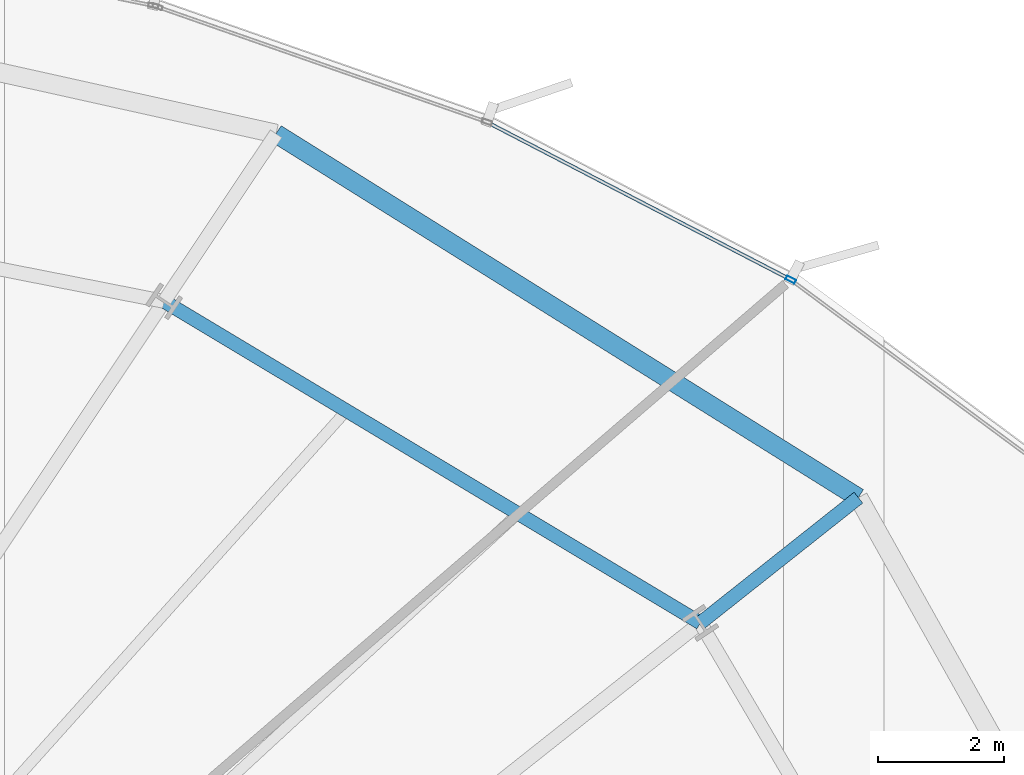
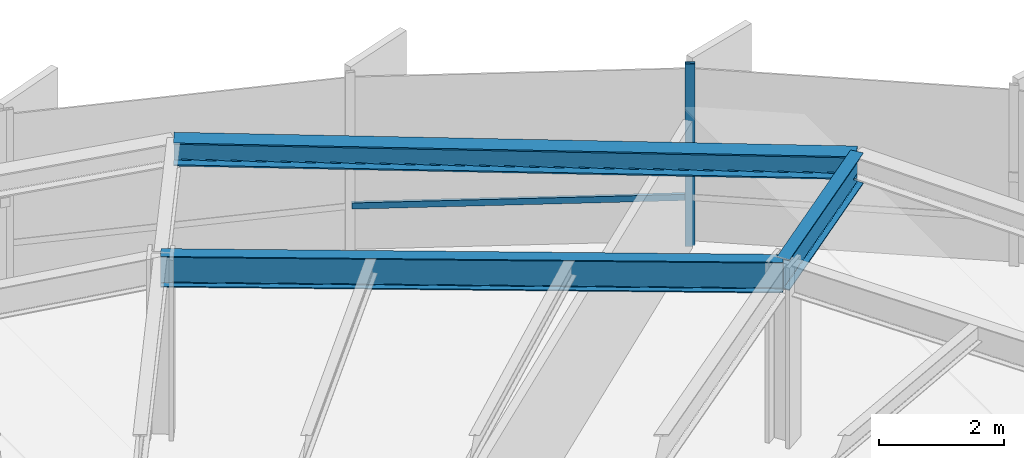
# One storey, part 25 of 38: 3 beams, 2 members, 1 element without a shape of its own.
"""IFC4 building model written with IfcOpenShell, lengths in metres."""

from ifc_helpers import new_model, si_unit, direction, frame, origin, origin_2d, place, context, subcontext, project, spatial, hollow_rectangle, i_section, extrude, source, transform, mapped, material, layer, layer_set, material_profile, profile_set, type_object, element, aggregate, save


model = new_model("IFC4")

# Units and contexts
model_context = context("Model", 3, precision=1e-05, world=origin(), true_north=direction((0.0, 1.0)))
body_context = subcontext(model_context, "Body", "Model", "MODEL_VIEW")
ifc_project = project(units=[si_unit("LENGTHUNIT", "METRE"), si_unit("AREAUNIT", "SQUARE_METRE"), si_unit("VOLUMEUNIT", "CUBIC_METRE"), si_unit("PLANEANGLEUNIT", "RADIAN"), si_unit("MASSUNIT", "GRAM", prefix="KILO"), si_unit("THERMODYNAMICTEMPERATUREUNIT", "KELVIN")], contexts=[model_context])

# Site, building, storey
site_placement = place(None, origin())
site = spatial("IfcSite", under=ifc_project, at=site_placement, CompositionType="ELEMENT")
building_placement = place(site_placement, origin())
building = spatial("IfcBuilding", under=site, at=building_placement, Name="Kethvar Cultural Tower", CompositionType="ELEMENT")
storey_placement = place(building_placement, frame((0.0, 0.0, 63.800048828125)))
storey = spatial("IfcBuildingStorey", under=building, at=storey_placement, Name="L15", CompositionType="ELEMENT", Elevation=63.800048828125)

# Beams
ifc_material_1 = material(Name="Steel S355J2", Category="steel")
ifc_material_profile_1 = material_profile(ifc_material_1, i_section(OverallWidth=0.219970703125, OverallDepth=0.60009765625, WebThickness=0.011962890625, FlangeThickness=0.01904296875, FilletRadius=0.02392578125, at=origin_2d()), Name="Steel S355J2 — IPE600")
ifc_profile_set_1 = profile_set([ifc_material_profile_1], Name="Steel S355J2 — IPE600")
beam_type_1 = type_object("IfcBeamType", Name="BM-IPE600", PredefinedType="BEAM", material=ifc_profile_set_1)
shared_shape_1 = source(origin(), body_context, "Body", "SweptSolid", [
    extrude(i_section(OverallWidth=0.219970703125, OverallDepth=0.60009765625, WebThickness=0.011962890625, FlangeThickness=0.01904296875, FilletRadius=0.02392578125, at=origin_2d()), origin(), (0.0, 0.0, 1.0), 3.199951171875),
])
beam_1_placement = place(storey_placement, frame((68.33642578125, 42.190185546875, 3.248046875), z_axis=(0.783844666756, 0.62095695374, 0.0), x_axis=(-0.62095695374, 0.783844666756, 0.0)))
element("IfcBeam", 1, at=beam_1_placement, inside=storey, type_object=beam_type_1, Name="L15 Perimeter Cantilever Beam RC-02", PredefinedType="BEAM", context=body_context, shape_type="MappedRepresentation", body=[
    mapped(shared_shape_1, transform((0.0, 0.0, 0.0), scale=1.0)),
])
shared_shape_2 = source(origin(), body_context, "Body", "SweptSolid", [
    extrude(i_section(OverallWidth=0.219970703125, OverallDepth=0.60009765625, WebThickness=0.011962890625, FlangeThickness=0.01904296875, FilletRadius=0.02392578125, at=origin_2d()), origin(), (0.0, 0.0, 1.0), 9.924072265625),
])
beam_2_placement = place(storey_placement, frame((68.33642578125, 42.190185546875, 3.248046875), z_axis=(-0.857664361463, 0.514209921215, 0.0), x_axis=(-0.514209921215, -0.857664361463, 0.0)))
element("IfcBeam", 2, at=beam_2_placement, inside=storey, type_object=beam_type_1, Name="L15 Column Ring Tie Beam CR-02", PredefinedType="BEAM", context=body_context, shape_type="MappedRepresentation", body=[
    mapped(shared_shape_2, transform((0.0, 0.0, 0.0), scale=1.0)),
])
ifc_material_profile_2 = material_profile(ifc_material_1, i_section(OverallWidth=0.300048828125, OverallDepth=0.449951171875, WebThickness=0.013916015625, FlangeThickness=0.02587890625, FilletRadius=0.027099609375, at=origin_2d()), Name="Steel S355J2 — HEB450")
ifc_profile_set_2 = profile_set([ifc_material_profile_2], Name="Steel S355J2 — HEB450")
beam_type_2 = type_object("IfcBeamType", Name="BM-SP450", PredefinedType="SPANDREL", material=ifc_profile_set_2)
shared_shape_3 = source(origin(), body_context, "Body", "SweptSolid", [
    extrude(i_section(OverallWidth=0.300048828125, OverallDepth=0.449951171875, WebThickness=0.013916015625, FlangeThickness=0.02587890625, FilletRadius=0.027099609375, at=origin_2d()), origin(), (0.0, 0.0, 1.0), 10.89892578125),
])
beam_3_placement = place(storey_placement, frame((70.8447265625, 44.17724609375, 3.322998046875), z_axis=(-0.847971875365, 0.530041223481, 0.0), x_axis=(-0.530041223481, -0.847971875365, 0.0)))
element("IfcBeam", 3, at=beam_3_placement, inside=storey, type_object=beam_type_2, Name="L15 Perimeter Spandrel Beam SP-02", PredefinedType="SPANDREL", context=body_context, shape_type="MappedRepresentation", body=[
    mapped(shared_shape_3, transform((0.0, 0.0, 0.0), scale=1.0)),
])

# Curtain wall, members
ifc_material_2 = material(Name="Aluminium 6063-T6", Category="aluminium")
ifc_layer = layer(ifc_material_2, 0.179931640625, Name="Aluminium 6063-T6", Category="aluminium")
ifc_layer_set = layer_set([ifc_layer], Name="Aluminium 6063-T6 (180 mm)")
curtain_wall_type = type_object("IfcCurtainWallType", Name="CW-SYS-02-Z1", PredefinedType="NOTDEFINED", material=ifc_layer_set)
curtain_wall_placement = place(storey_placement, origin())
curtain_wall = element("IfcCurtainWall", 4, at=curtain_wall_placement, inside=storey, type_object=curtain_wall_type, Name="L15 Curtain Wall Run 01", PredefinedType="NOTDEFINED")
ifc_material_profile_3 = material_profile(ifc_material_2, hollow_rectangle(XDim=0.06494140625, YDim=0.159912109375, WallThickness=0.0048828125, at=origin_2d()), Name="Aluminium 6063-T6 — RHS160x65x5")
ifc_profile_set_3 = profile_set([ifc_material_profile_3], Name="Aluminium 6063-T6 — RHS160x65x5")
member_type_1 = type_object("IfcMemberType", Name="CW-SYS-02-Z1-MUL", PredefinedType="MULLION", material=ifc_profile_set_3)
shared_shape_4 = source(origin(), body_context, "Body", "SweptSolid", [
    extrude(hollow_rectangle(XDim=0.06494140625, YDim=0.159912109375, WallThickness=0.0048828125, at=origin_2d()), origin(), (0.0, 0.0, 1.0), 3.550048828125),
])
member_1_placement = place(storey_placement, frame((69.770751953125, 47.637939453125, 0.0), z_axis=(0.0, 0.0, 1.0), x_axis=(-0.460370224619, -0.887727016759, 0.0)))
member_1 = element("IfcMember", 5, at=member_1_placement, type_object=member_type_1, Name="CW-L15-R01 Mullion 5", PredefinedType="MULLION", context=body_context, shape_type="MappedRepresentation", body=[
    mapped(shared_shape_4, transform((0.0, 0.0, 0.0), scale=1.0)),
])
ifc_material_profile_4 = material_profile(ifc_material_2, hollow_rectangle(XDim=0.054931640625, YDim=0.1201171875, WallThickness=0.00390625, at=origin_2d()), Name="Aluminium 6063-T6 — RHS120x55x4")
ifc_profile_set_4 = profile_set([ifc_material_profile_4], Name="Aluminium 6063-T6 — RHS120x55x4")
member_type_2 = type_object("IfcMemberType", Name="CW-SYS-02-Z1-TRN", PredefinedType="USERDEFINED", material=ifc_profile_set_4)
shared_shape_5 = source(origin(), body_context, "Body", "SweptSolid", [
    extrude(hollow_rectangle(XDim=0.054931640625, YDim=0.1201171875, WallThickness=0.00390625, at=origin_2d()), origin(), (0.0, 0.0, 1.0), 5.353759765625),
])
member_2_placement = place(storey_placement, frame((69.72900390625, 47.659423828125, 0.949951171875), z_axis=(-0.887735895489, 0.460353103455, 0.0), x_axis=(-0.460353103455, -0.887735895489, 0.0)))
member_2 = element("IfcMember", 6, at=member_2_placement, type_object=member_type_2, Name="CW-L15-R01 Transom 5", ObjectType="TRANSOM", PredefinedType="USERDEFINED", context=body_context, shape_type="MappedRepresentation", body=[
    mapped(shared_shape_5, transform((0.0, 0.0, 0.0), scale=1.0)),
])
aggregate(curtain_wall, [member_1, member_2])

save(model, "model.ifc")
